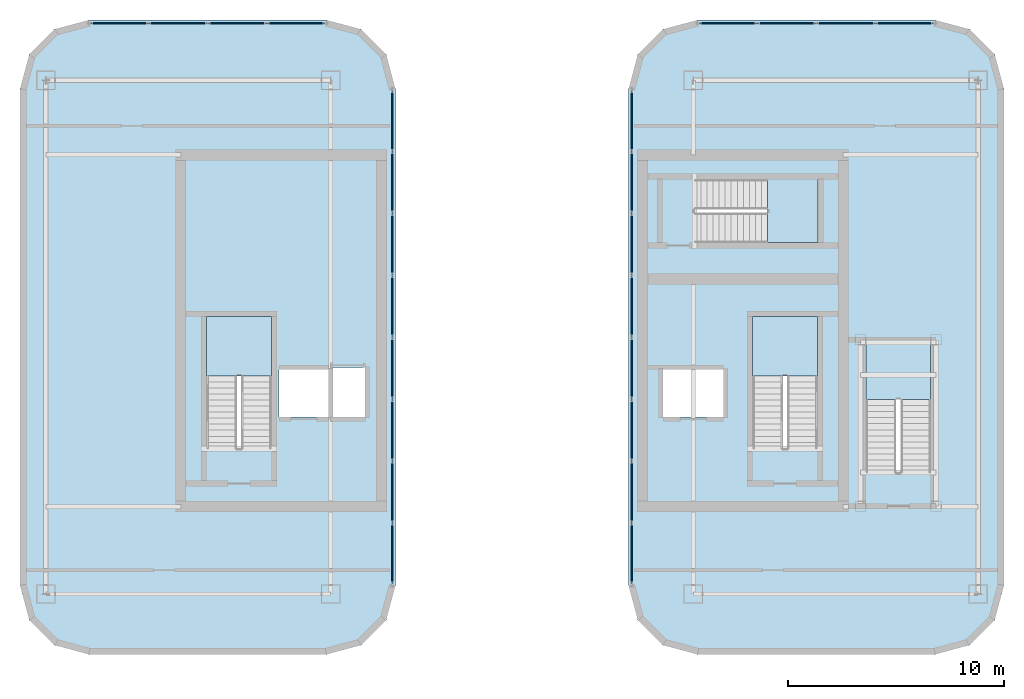
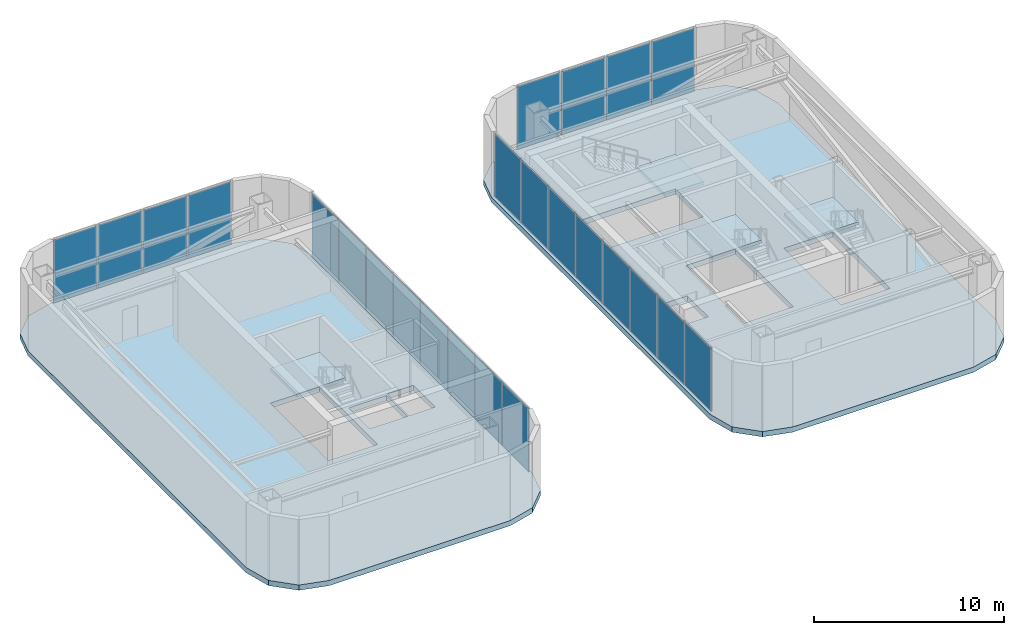
# One storey, part 8 of 14: 24 plates, 6 slabs, 8 elements without a shape of their own.
"""IFC4 building model written with IfcOpenShell, lengths in metres."""

from ifc_helpers import new_model, si_unit, direction, frame, origin, origin_2d, place, context, subcontext, project, spatial, polyline, rectangle, outline, extrude, material, layer, layer_set, type_object, element, aggregate, save


model = new_model("IFC4")

# Units and contexts
model_context = context("Model", 3, precision=1e-05, world=origin(), true_north=direction((0.0, 1.0)))
body_context = subcontext(model_context, "Body", "Model", "MODEL_VIEW")
ifc_project = project(units=[si_unit("LENGTHUNIT", "METRE"), si_unit("AREAUNIT", "SQUARE_METRE"), si_unit("VOLUMEUNIT", "CUBIC_METRE"), si_unit("PLANEANGLEUNIT", "RADIAN"), si_unit("MASSUNIT", "GRAM", prefix="KILO")], contexts=[model_context])

# Site, building, storey
site_placement = place(None, origin())
site = spatial("IfcSite", under=ifc_project, at=site_placement, CompositionType="ELEMENT")
building_placement = place(site_placement, origin())
building = spatial("IfcBuilding", under=site, at=building_placement, Name="Kiyonajd Concourse Tower", CompositionType="ELEMENT")
storey_placement = place(building_placement, frame((0.0, 0.0, 359.39990234375)))
storey = spatial("IfcBuildingStorey", under=building, at=storey_placement, Name="L90", CompositionType="ELEMENT", Elevation=359.39990234375)

# Curtain wall, plates
ifc_material_1 = material(Name="Thermally Broken Anodised Aluminium", Category="aluminium")
ifc_layer_1 = layer(ifc_material_1, 0.179931640625)
ifc_layer_set_1 = layer_set([ifc_layer_1], Name="Thermally Broken Anodised Aluminium")
curtain_wall_type = type_object("IfcCurtainWallType", Name="CW-SYS-06", PredefinedType="NOTDEFINED", material=ifc_layer_set_1)
curtain_wall_1_placement = place(storey_placement, origin())
curtain_wall_1 = element("IfcCurtainWall", 1, at=curtain_wall_1_placement, inside=storey, type_object=curtain_wall_type, Name="L90 Unitised Curtain Wall CW6", PredefinedType="NOTDEFINED")
ifc_material_2 = material(Name="Riyadh Jubaila Limestone", Category="masonry")
ifc_layer_2 = layer(ifc_material_2, 0.048095703125)
ifc_layer_set_2 = layer_set([ifc_layer_2], Name="Riyadh Jubaila Limestone")
plate_type = type_object("IfcPlateType", Name="PL-CW-SPD48", PredefinedType="CURTAIN_PANEL", material=ifc_layer_set_2)
plate_1_placement = place(storey_placement, frame((29.80859375, 50.25, 0.0751953125), z_axis=(0.0, 0.0, 1.0), x_axis=(1.0, 0.0, 0.0)))
plate_1 = element("IfcPlate", 2, at=plate_1_placement, type_object=plate_type, Name="CW6 panel 1.1", PredefinedType="CURTAIN_PANEL", context=body_context, shape_type="SweptSolid", body=[
    extrude(rectangle(XDim=2.627685546875, YDim=0.048095703125, at=origin_2d()), origin(), (0.0, 0.0, 1.0), 4.050048828125),
])
plate_2_placement = place(storey_placement, frame((32.530029296875, 50.25, 0.0751953125), z_axis=(0.0, 0.0, 1.0), x_axis=(1.0, 0.0, 0.0)))
plate_2 = element("IfcPlate", 3, at=plate_2_placement, type_object=plate_type, Name="CW6 panel 2.1", PredefinedType="CURTAIN_PANEL", context=body_context, shape_type="SweptSolid", body=[
    extrude(rectangle(XDim=2.6650390625, YDim=0.048095703125, at=origin_2d()), origin(), (0.0, 0.0, 1.0), 4.050048828125),
])
plate_3_placement = place(storey_placement, frame((35.27001953125, 50.25, 0.0751953125), z_axis=(0.0, 0.0, 1.0), x_axis=(1.0, 0.0, 0.0)))
plate_3 = element("IfcPlate", 4, at=plate_3_placement, type_object=plate_type, Name="CW6 panel 3.1", PredefinedType="CURTAIN_PANEL", context=body_context, shape_type="SweptSolid", body=[
    extrude(rectangle(XDim=2.6650390625, YDim=0.048095703125, at=origin_2d()), origin(), (0.0, 0.0, 1.0), 4.050048828125),
])
plate_4_placement = place(storey_placement, frame((37.991455078125, 50.25, 0.0751953125), z_axis=(0.0, 0.0, 1.0), x_axis=(1.0, 0.0, 0.0)))
plate_4 = element("IfcPlate", 5, at=plate_4_placement, type_object=plate_type, Name="CW6 panel 4.1", PredefinedType="CURTAIN_PANEL", context=body_context, shape_type="SweptSolid", body=[
    extrude(rectangle(XDim=2.627685546875, YDim=0.048095703125, at=origin_2d()), origin(), (0.0, 0.0, 1.0), 4.050048828125),
])
aggregate(curtain_wall_1, [plate_1, plate_2, plate_3, plate_4])

curtain_wall_2_placement = place(storey_placement, origin())
curtain_wall_2 = element("IfcCurtainWall", 6, at=curtain_wall_2_placement, inside=storey, type_object=curtain_wall_type, Name="L90 Unitised Curtain Wall CW6", PredefinedType="NOTDEFINED")
plate_5_placement = place(storey_placement, frame((42.449951171875, 45.726318359375, 0.0751953125), z_axis=(0.0, 0.0, 1.0), x_axis=(0.0, -1.0, 0.0)))
plate_5 = element("IfcPlate", 7, at=plate_5_placement, type_object=plate_type, Name="CW6 panel 1.1", PredefinedType="CURTAIN_PANEL", context=body_context, shape_type="SweptSolid", body=[
    extrude(rectangle(XDim=2.757568359375, YDim=0.048095703125, at=origin_2d()), origin(), (0.0, 0.0, 1.0), 4.050048828125),
])
plate_6_placement = place(storey_placement, frame((42.449951171875, 42.875244140625, 0.0751953125), z_axis=(0.0, 0.0, 1.0), x_axis=(0.0, -1.0, 0.0)))
plate_6 = element("IfcPlate", 8, at=plate_6_placement, type_object=plate_type, Name="CW6 panel 2.1", PredefinedType="CURTAIN_PANEL", context=body_context, shape_type="SweptSolid", body=[
    extrude(rectangle(XDim=2.795166015625, YDim=0.048095703125, at=origin_2d()), origin(), (0.0, 0.0, 1.0), 4.050048828125),
])
plate_7_placement = place(storey_placement, frame((42.449951171875, 40.005126953125, 0.0751953125), z_axis=(0.0, 0.0, 1.0), x_axis=(0.0, -1.0, 0.0)))
plate_7 = element("IfcPlate", 9, at=plate_7_placement, type_object=plate_type, Name="CW6 panel 3.1", PredefinedType="CURTAIN_PANEL", context=body_context, shape_type="SweptSolid", body=[
    extrude(rectangle(XDim=2.795166015625, YDim=0.048095703125, at=origin_2d()), origin(), (0.0, 0.0, 1.0), 4.050048828125),
])
plate_8_placement = place(storey_placement, frame((42.449951171875, 37.135009765625, 0.0751953125), z_axis=(0.0, 0.0, 1.0), x_axis=(0.0, -1.0, 0.0)))
plate_8 = element("IfcPlate", 10, at=plate_8_placement, type_object=plate_type, Name="CW6 panel 4.1", PredefinedType="CURTAIN_PANEL", context=body_context, shape_type="SweptSolid", body=[
    extrude(rectangle(XDim=2.795166015625, YDim=0.048095703125, at=origin_2d()), origin(), (0.0, 0.0, 1.0), 4.050048828125),
])
plate_9_placement = place(storey_placement, frame((42.449951171875, 34.264892578125, 0.0751953125), z_axis=(0.0, 0.0, 1.0), x_axis=(0.0, -1.0, 0.0)))
plate_9 = element("IfcPlate", 11, at=plate_9_placement, type_object=plate_type, Name="CW6 panel 5.1", PredefinedType="CURTAIN_PANEL", context=body_context, shape_type="SweptSolid", body=[
    extrude(rectangle(XDim=2.795166015625, YDim=0.048095703125, at=origin_2d()), origin(), (0.0, 0.0, 1.0), 4.050048828125),
])
plate_10_placement = place(storey_placement, frame((42.449951171875, 31.39501953125, 0.0751953125), z_axis=(0.0, 0.0, 1.0), x_axis=(0.0, -1.0, 0.0)))
plate_10 = element("IfcPlate", 12, at=plate_10_placement, type_object=plate_type, Name="CW6 panel 6.1", PredefinedType="CURTAIN_PANEL", context=body_context, shape_type="SweptSolid", body=[
    extrude(rectangle(XDim=2.795166015625, YDim=0.048095703125, at=origin_2d()), origin(), (0.0, 0.0, 1.0), 4.050048828125),
])
plate_11_placement = place(storey_placement, frame((42.449951171875, 28.52490234375, 0.0751953125), z_axis=(0.0, 0.0, 1.0), x_axis=(0.0, -1.0, 0.0)))
plate_11 = element("IfcPlate", 13, at=plate_11_placement, type_object=plate_type, Name="CW6 panel 7.1", PredefinedType="CURTAIN_PANEL", context=body_context, shape_type="SweptSolid", body=[
    extrude(rectangle(XDim=2.795166015625, YDim=0.048095703125, at=origin_2d()), origin(), (0.0, 0.0, 1.0), 4.050048828125),
])
plate_12_placement = place(storey_placement, frame((42.449951171875, 25.673583984375, 0.0751953125), z_axis=(0.0, 0.0, 1.0), x_axis=(0.0, -1.0, 0.0)))
plate_12 = element("IfcPlate", 14, at=plate_12_placement, type_object=plate_type, Name="CW6 panel 8.1", PredefinedType="CURTAIN_PANEL", context=body_context, shape_type="SweptSolid", body=[
    extrude(rectangle(XDim=2.757568359375, YDim=0.048095703125, at=origin_2d()), origin(), (0.0, 0.0, 1.0), 4.050048828125),
])
aggregate(curtain_wall_2, [plate_5, plate_6, plate_7, plate_8, plate_9, plate_10, plate_11, plate_12])

curtain_wall_3_placement = place(storey_placement, origin())
curtain_wall_3 = element("IfcCurtainWall", 15, at=curtain_wall_3_placement, inside=storey, type_object=curtain_wall_type, Name="L90 Unitised Curtain Wall CW6", PredefinedType="NOTDEFINED")
plate_13_placement = place(storey_placement, frame((53.550048828125, 25.673583984375, 0.0751953125), z_axis=(0.0, 0.0, 1.0), x_axis=(0.0, 1.0, 0.0)))
plate_13 = element("IfcPlate", 16, at=plate_13_placement, type_object=plate_type, Name="CW6 panel 1.1", PredefinedType="CURTAIN_PANEL", context=body_context, shape_type="SweptSolid", body=[
    extrude(rectangle(XDim=2.757568359375, YDim=0.048095703125, at=origin_2d()), origin(), (0.0, 0.0, 1.0), 4.050048828125),
])
plate_14_placement = place(storey_placement, frame((53.550048828125, 28.52490234375, 0.0751953125), z_axis=(0.0, 0.0, 1.0), x_axis=(0.0, 1.0, 0.0)))
plate_14 = element("IfcPlate", 17, at=plate_14_placement, type_object=plate_type, Name="CW6 panel 2.1", PredefinedType="CURTAIN_PANEL", context=body_context, shape_type="SweptSolid", body=[
    extrude(rectangle(XDim=2.795166015625, YDim=0.048095703125, at=origin_2d()), origin(), (0.0, 0.0, 1.0), 4.050048828125),
])
plate_15_placement = place(storey_placement, frame((53.550048828125, 31.39501953125, 0.0751953125), z_axis=(0.0, 0.0, 1.0), x_axis=(0.0, 1.0, 0.0)))
plate_15 = element("IfcPlate", 18, at=plate_15_placement, type_object=plate_type, Name="CW6 panel 3.1", PredefinedType="CURTAIN_PANEL", context=body_context, shape_type="SweptSolid", body=[
    extrude(rectangle(XDim=2.795166015625, YDim=0.048095703125, at=origin_2d()), origin(), (0.0, 0.0, 1.0), 4.050048828125),
])
plate_16_placement = place(storey_placement, frame((53.550048828125, 34.264892578125, 0.0751953125), z_axis=(0.0, 0.0, 1.0), x_axis=(0.0, 1.0, 0.0)))
plate_16 = element("IfcPlate", 19, at=plate_16_placement, type_object=plate_type, Name="CW6 panel 4.1", PredefinedType="CURTAIN_PANEL", context=body_context, shape_type="SweptSolid", body=[
    extrude(rectangle(XDim=2.795166015625, YDim=0.048095703125, at=origin_2d()), origin(), (0.0, 0.0, 1.0), 4.050048828125),
])
plate_17_placement = place(storey_placement, frame((53.550048828125, 37.135009765625, 0.0751953125), z_axis=(0.0, 0.0, 1.0), x_axis=(0.0, 1.0, 0.0)))
plate_17 = element("IfcPlate", 20, at=plate_17_placement, type_object=plate_type, Name="CW6 panel 5.1", PredefinedType="CURTAIN_PANEL", context=body_context, shape_type="SweptSolid", body=[
    extrude(rectangle(XDim=2.795166015625, YDim=0.048095703125, at=origin_2d()), origin(), (0.0, 0.0, 1.0), 4.050048828125),
])
plate_18_placement = place(storey_placement, frame((53.550048828125, 40.005126953125, 0.0751953125), z_axis=(0.0, 0.0, 1.0), x_axis=(0.0, 1.0, 0.0)))
plate_18 = element("IfcPlate", 21, at=plate_18_placement, type_object=plate_type, Name="CW6 panel 6.1", PredefinedType="CURTAIN_PANEL", context=body_context, shape_type="SweptSolid", body=[
    extrude(rectangle(XDim=2.795166015625, YDim=0.048095703125, at=origin_2d()), origin(), (0.0, 0.0, 1.0), 4.050048828125),
])
plate_19_placement = place(storey_placement, frame((53.550048828125, 42.875244140625, 0.0751953125), z_axis=(0.0, 0.0, 1.0), x_axis=(0.0, 1.0, 0.0)))
plate_19 = element("IfcPlate", 22, at=plate_19_placement, type_object=plate_type, Name="CW6 panel 7.1", PredefinedType="CURTAIN_PANEL", context=body_context, shape_type="SweptSolid", body=[
    extrude(rectangle(XDim=2.795166015625, YDim=0.048095703125, at=origin_2d()), origin(), (0.0, 0.0, 1.0), 4.050048828125),
])
plate_20_placement = place(storey_placement, frame((53.550048828125, 45.726318359375, 0.0751953125), z_axis=(0.0, 0.0, 1.0), x_axis=(0.0, 1.0, 0.0)))
plate_20 = element("IfcPlate", 23, at=plate_20_placement, type_object=plate_type, Name="CW6 panel 8.1", PredefinedType="CURTAIN_PANEL", context=body_context, shape_type="SweptSolid", body=[
    extrude(rectangle(XDim=2.757568359375, YDim=0.048095703125, at=origin_2d()), origin(), (0.0, 0.0, 1.0), 4.050048828125),
])
aggregate(curtain_wall_3, [plate_13, plate_14, plate_15, plate_16, plate_17, plate_18, plate_19, plate_20])

curtain_wall_4_placement = place(storey_placement, origin())
curtain_wall_4 = element("IfcCurtainWall", 24, at=curtain_wall_4_placement, inside=storey, type_object=curtain_wall_type, Name="L90 Unitised Curtain Wall CW6", PredefinedType="NOTDEFINED")
plate_21_placement = place(storey_placement, frame((58.008544921875, 50.25, 0.0751953125), z_axis=(0.0, 0.0, 1.0), x_axis=(1.0, 0.0, 0.0)))
plate_21 = element("IfcPlate", 25, at=plate_21_placement, type_object=plate_type, Name="CW6 panel 1.1", PredefinedType="CURTAIN_PANEL", context=body_context, shape_type="SweptSolid", body=[
    extrude(rectangle(XDim=2.627685546875, YDim=0.048095703125, at=origin_2d()), origin(), (0.0, 0.0, 1.0), 4.050048828125),
])
plate_22_placement = place(storey_placement, frame((60.72998046875, 50.25, 0.0751953125), z_axis=(0.0, 0.0, 1.0), x_axis=(1.0, 0.0, 0.0)))
plate_22 = element("IfcPlate", 26, at=plate_22_placement, type_object=plate_type, Name="CW6 panel 2.1", PredefinedType="CURTAIN_PANEL", context=body_context, shape_type="SweptSolid", body=[
    extrude(rectangle(XDim=2.6650390625, YDim=0.048095703125, at=origin_2d()), origin(), (0.0, 0.0, 1.0), 4.050048828125),
])
plate_23_placement = place(storey_placement, frame((63.469970703125, 50.25, 0.0751953125), z_axis=(0.0, 0.0, 1.0), x_axis=(1.0, 0.0, 0.0)))
plate_23 = element("IfcPlate", 27, at=plate_23_placement, type_object=plate_type, Name="CW6 panel 3.1", PredefinedType="CURTAIN_PANEL", context=body_context, shape_type="SweptSolid", body=[
    extrude(rectangle(XDim=2.6650390625, YDim=0.048095703125, at=origin_2d()), origin(), (0.0, 0.0, 1.0), 4.050048828125),
])
plate_24_placement = place(storey_placement, frame((66.19140625, 50.25, 0.0751953125), z_axis=(0.0, 0.0, 1.0), x_axis=(1.0, 0.0, 0.0)))
plate_24 = element("IfcPlate", 28, at=plate_24_placement, type_object=plate_type, Name="CW6 panel 4.1", PredefinedType="CURTAIN_PANEL", context=body_context, shape_type="SweptSolid", body=[
    extrude(rectangle(XDim=2.627685546875, YDim=0.048095703125, at=origin_2d()), origin(), (0.0, 0.0, 1.0), 4.050048828125),
])
aggregate(curtain_wall_4, [plate_21, plate_22, plate_23, plate_24])

# Stair, slab
ifc_material_3 = material(Name="Concrete C40/50", Category="concrete")
stair_type = type_object("IfcStairType", Name="ST-DLG-26R", PredefinedType="HALF_TURN_STAIR", material=ifc_material_3)
stair_1_placement = place(storey_placement, origin())
stair_1 = element("IfcStair", 29, at=stair_1_placement, inside=storey, type_object=stair_type, Name="L90 Protected Exit Stair ST1", PredefinedType="HALF_TURN_STAIR")
ifc_layer_3 = layer(ifc_material_3, 0.199951171875)
ifc_layer_set_3 = layer_set([ifc_layer_3], Name="Concrete C40/50")
slab_type_1 = type_object("IfcSlabType", Name="SL-LND-200", PredefinedType="LANDING", material=ifc_layer_set_3)
slab_1_placement = place(storey_placement, frame((0.0, 0.0, 2.050048828125)))
slab_1 = element("IfcSlab", 30, at=slab_1_placement, type_object=slab_type_1, Name="ST1 landing 1", PredefinedType="LANDING", context=body_context, shape_type="SweptSolid", body=[
    extrude(outline(polyline([(36.85009765625, 33.909912109375), (36.85009765625, 36.64990234375), (33.85009765625, 36.64990234375), (33.85009765625, 33.909912109375), (36.85009765625, 33.909912109375)])), origin(), (0.0, 0.0, 1.0), 0.199951171875),
])
aggregate(stair_1, [slab_1])

stair_2_placement = place(storey_placement, origin())
stair_2 = element("IfcStair", 31, at=stair_2_placement, inside=storey, type_object=stair_type, Name="L90 Protected Exit Stair ST2", PredefinedType="HALF_TURN_STAIR")
slab_2_placement = place(storey_placement, frame((0.0, 0.0, 2.050048828125)))
slab_2 = element("IfcSlab", 32, at=slab_2_placement, type_object=slab_type_1, Name="ST2 landing 1", PredefinedType="LANDING", context=body_context, shape_type="SweptSolid", body=[
    extrude(outline(polyline([(62.14990234375, 33.909912109375), (62.14990234375, 36.64990234375), (59.14990234375, 36.64990234375), (59.14990234375, 33.909912109375), (62.14990234375, 33.909912109375)])), origin(), (0.0, 0.0, 1.0), 0.199951171875),
])
aggregate(stair_2, [slab_2])

stair_3_placement = place(storey_placement, origin())
stair_3 = element("IfcStair", 33, at=stair_3_placement, inside=storey, type_object=stair_type, Name="L90 Protected Exit Stair ST3", PredefinedType="HALF_TURN_STAIR")
slab_3_placement = place(storey_placement, frame((0.0, 0.0, 2.050048828125)))
slab_3 = element("IfcSlab", 34, at=slab_3_placement, type_object=slab_type_1, Name="ST3 landing 1", PredefinedType="LANDING", context=body_context, shape_type="SweptSolid", body=[
    extrude(outline(polyline([(59.840087890625, 40.080078125), (62.179931640625, 40.080078125), (62.179931640625, 43.02001953125), (59.840087890625, 43.02001953125), (59.840087890625, 40.080078125)])), origin(), (0.0, 0.0, 1.0), 0.199951171875),
])
aggregate(stair_3, [slab_3])

stair_4_placement = place(storey_placement, origin())
stair_4 = element("IfcStair", 35, at=stair_4_placement, inside=storey, type_object=stair_type, Name="L90 East Crown Maintenance Stair ST6", PredefinedType="HALF_TURN_STAIR")
slab_4_placement = place(storey_placement, frame((0.0, 0.0, 2.050048828125)))
slab_4 = element("IfcSlab", 36, at=slab_4_placement, type_object=slab_type_1, Name="ST6 landing 1", PredefinedType="LANDING", context=body_context, shape_type="SweptSolid", body=[
    extrude(outline(polyline([(67.39990234375, 32.81005859375), (67.39990234375, 35.449951171875), (64.39990234375, 35.449951171875), (64.39990234375, 32.81005859375), (67.39990234375, 32.81005859375)])), origin(), (0.0, 0.0, 1.0), 0.199951171875),
])
aggregate(stair_4, [slab_4])

# Slabs
ifc_material_4 = material(Name="Concrete C50/60", Category="concrete")
ifc_layer_4 = layer(ifc_material_4, 0.300048828125)
ifc_layer_set_4 = layer_set([ifc_layer_4], Name="Concrete C50/60")
slab_type_2 = type_object("IfcSlabType", Name="SL-MEP-300", PredefinedType="FLOOR", material=ifc_layer_set_4)
slab_5_placement = place(storey_placement, frame((0.0, 0.0, -0.33984375)))
element("IfcSlab", 37, at=slab_5_placement, inside=storey, type_object=slab_type_2, Name="L90 West Crown Plant Floor Slab", PredefinedType="FLOOR", context=body_context, shape_type="SweptSolid", body=[
    extrude(outline(polyline([(25.199951171875, 24.199951171875), (25.62890625, 22.60009765625), (26.800048828125, 21.428955078125), (28.39990234375, 21.0), (39.39990234375, 21.0), (41.0, 21.428955078125), (42.1708984375, 22.60009765625), (42.60009765625, 24.199951171875), (42.60009765625, 47.199951171875), (42.1708984375, 48.800048828125), (41.0, 49.970947265625), (39.39990234375, 50.39990234375), (28.39990234375, 50.39990234375), (26.800048828125, 49.970947265625), (25.62890625, 48.800048828125), (25.199951171875, 47.199951171875), (25.199951171875, 24.199951171875)]), holes=[polyline([(33.85009765625, 30.550048828125), (33.85009765625, 36.64990234375), (36.85009765625, 36.64990234375), (36.85009765625, 30.550048828125), (33.85009765625, 30.550048828125)]), polyline([(37.199951171875, 32.0), (37.199951171875, 34.199951171875), (39.5, 34.199951171875), (39.5, 32.0), (37.199951171875, 32.0)]), polyline([(39.60009765625, 32.0), (39.60009765625, 34.300048828125), (41.199951171875, 34.300048828125), (41.199951171875, 32.0), (39.60009765625, 32.0)])]), origin(), (0.0, 0.0, 1.0), 0.33984375),
])
slab_6_placement = place(storey_placement, frame((0.0, 0.0, -0.33984375)))
element("IfcSlab", 38, at=slab_6_placement, inside=storey, type_object=slab_type_2, Name="L90 East Crown TMD Floor Slab", PredefinedType="FLOOR", context=body_context, shape_type="SweptSolid", body=[
    extrude(outline(polyline([(53.39990234375, 24.199951171875), (53.8291015625, 22.60009765625), (55.0, 21.428955078125), (56.60009765625, 21.0), (67.60009765625, 21.0), (69.199951171875, 21.428955078125), (70.37109375, 22.60009765625), (70.800048828125, 24.199951171875), (70.800048828125, 47.199951171875), (70.37109375, 48.800048828125), (69.199951171875, 49.970947265625), (67.60009765625, 50.39990234375), (56.60009765625, 50.39990234375), (55.0, 49.970947265625), (53.8291015625, 48.800048828125), (53.39990234375, 47.199951171875), (53.39990234375, 24.199951171875)]), holes=[polyline([(59.14990234375, 30.550048828125), (59.14990234375, 36.64990234375), (62.14990234375, 36.64990234375), (62.14990234375, 30.550048828125), (59.14990234375, 30.550048828125)]), polyline([(56.47998046875, 43.02001953125), (62.179931640625, 43.02001953125), (62.179931640625, 40.080078125), (56.47998046875, 40.080078125), (56.47998046875, 43.02001953125)]), polyline([(64.39990234375, 29.449951171875), (64.39990234375, 35.449951171875), (67.39990234375, 35.449951171875), (67.39990234375, 29.449951171875), (64.39990234375, 29.449951171875)]), polyline([(55.0, 32.0), (55.0, 34.199951171875), (57.800048828125, 34.199951171875), (57.800048828125, 32.0), (55.0, 32.0)])]), origin(), (0.0, 0.0, 1.0), 0.33984375),
])

save(model, "model.ifc")
